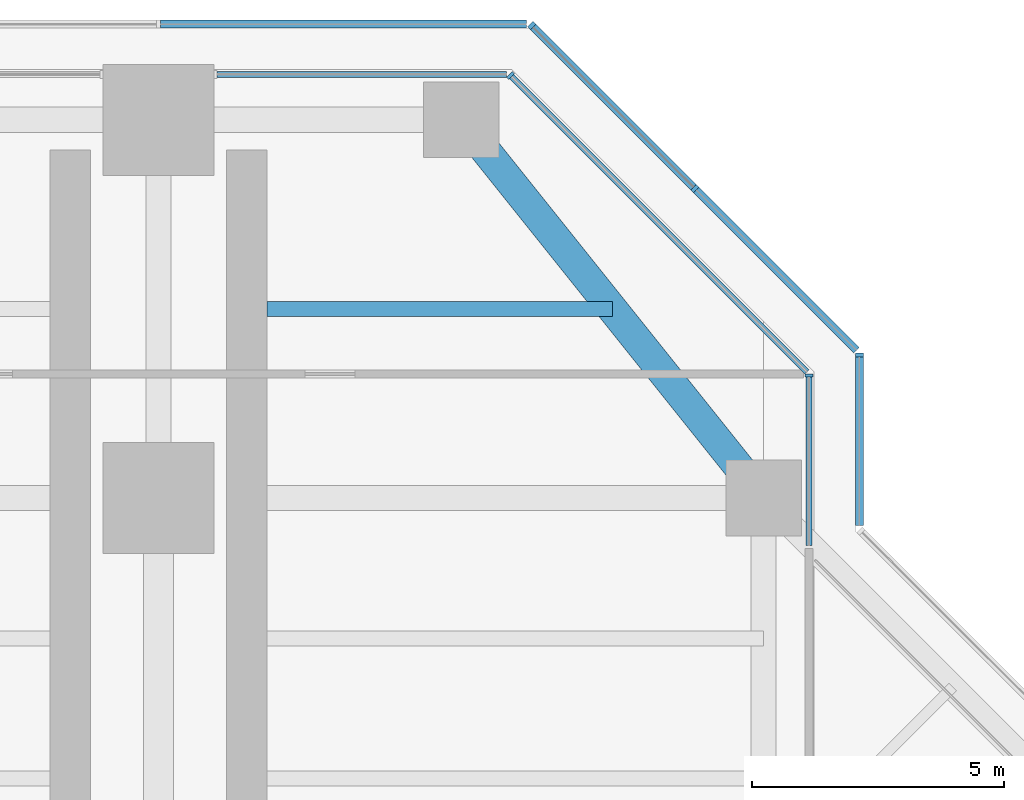
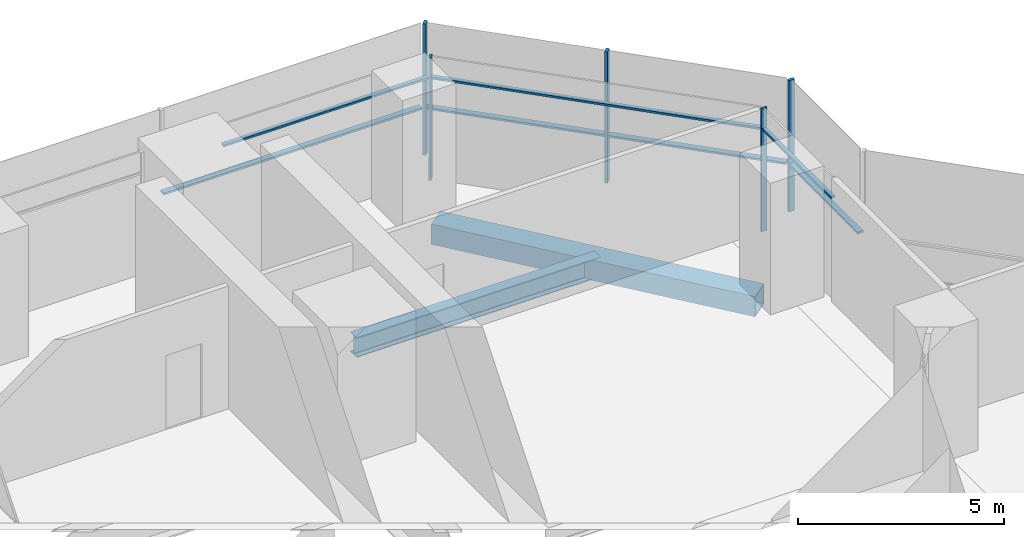
# One storey, part 9 of 17: 12 members, 2 beams, 6 elements without a shape of their own.
"""IFC4 building model written with IfcOpenShell, lengths in metres."""

from ifc_helpers import new_model, si_unit, direction, frame, origin, origin_2d, place, context, subcontext, project, spatial, rectangle, hollow_rectangle, i_section, extrude, material, material_profile, profile_set, type_object, element, aggregate, save


model = new_model("IFC4")

# Units and contexts
model_context = context("Model", 3, precision=1e-05, world=origin(), true_north=direction((0.0, 1.0)))
body_context = subcontext(model_context, "Body", "Model", "MODEL_VIEW")
ifc_project = project(units=[si_unit("LENGTHUNIT", "METRE"), si_unit("AREAUNIT", "SQUARE_METRE"), si_unit("VOLUMEUNIT", "CUBIC_METRE"), si_unit("PLANEANGLEUNIT", "RADIAN"), si_unit("MASSUNIT", "GRAM", prefix="KILO")], contexts=[model_context])

# Site, building, storey
site_placement = place(None, origin())
site = spatial("IfcSite", under=ifc_project, at=site_placement, CompositionType="ELEMENT")
building_placement = place(site_placement, origin())
building = spatial("IfcBuilding", under=site, at=building_placement, Name="Mizan Broadcast Tower", CompositionType="ELEMENT")
storey_placement = place(building_placement, frame((0.0, 0.0, 263.39990234375)))
storey = spatial("IfcBuildingStorey", under=building, at=storey_placement, Name="L62", CompositionType="ELEMENT", Elevation=263.39990234375)

# Beam
ifc_material_1 = material(Name="Steel S355", Category="steel")
ifc_material_profile_1 = material_profile(ifc_material_1, hollow_rectangle(XDim=0.60009765625, YDim=0.60009765625, WallThickness=0.030029296875, at=origin_2d()), Name="BOX 600x600x30")
ifc_profile_set_1 = profile_set([ifc_material_profile_1], Name="Steel S355")
beam_type_1 = type_object("IfcBeamType", Name="EDGE BEAM BOX 600x600x30", PredefinedType="SPANDREL", material=ifc_profile_set_1)
beam_1_placement = place(storey_placement, frame((11.639892578125, 19.949951171875, -0.429931640625), z_axis=(-0.624673911726, 0.780885717636, 0.0), x_axis=(-0.780885717636, -0.624673911726, 0.0)))
element("IfcBeam", 1, at=beam_1_placement, inside=storey, type_object=beam_type_1, Name="Edge beam BOX 600x600x30 L62 north arm", PredefinedType="SPANDREL", context=body_context, shape_type="SweptSolid", body=[
    extrude(hollow_rectangle(XDim=0.60009765625, YDim=0.60009765625, WallThickness=0.030029296875, at=origin_2d()), origin(), (0.0, 0.0, 1.0), 8.4521484375),
])

# Curtain wall, member
ifc_material_2 = material(Name="Aluminium framed glazing", Category="aluminium")
curtain_wall_type_1 = type_object("IfcCurtainWallType", Name="INNER SKIN HIGH ZONE", PredefinedType="USERDEFINED", material=ifc_material_2)
curtain_wall_1_placement = place(storey_placement, origin())
curtain_wall_1 = element("IfcCurtainWall", 2, at=curtain_wall_1_placement, inside=storey, type_object=curtain_wall_type_1, Name="Inner skin high zone L62 N side", ObjectType="INNER SKIN HIGH ZONE", PredefinedType="USERDEFINED")
ifc_material_3 = material(Name="Aluminium, pale anodised", Category="aluminium")
ifc_material_profile_2 = material_profile(ifc_material_3, rectangle(XDim=0.159912109375, YDim=0.06005859375, at=origin_2d()), Name="MULLION 160x60")
ifc_profile_set_2 = profile_set([ifc_material_profile_2], Name="Aluminium, pale anodised")
member_type_1 = type_object("IfcMemberType", Name="INNER SKIN MULLION 60x160", PredefinedType="MULLION", material=ifc_profile_set_2)
member_1_placement = place(storey_placement, frame((12.89990234375, 21.928466796875, 0.0), z_axis=(0.0, 0.0, 1.0), x_axis=(-1.0, 0.0, 0.0)))
member_1 = element("IfcMember", 3, at=member_1_placement, type_object=member_type_1, Name="Inner skin high zone L62 N side mullion 2", PredefinedType="MULLION", context=body_context, shape_type="SweptSolid", body=[
    extrude(rectangle(XDim=0.159912109375, YDim=0.06005859375, at=origin_2d()), origin(), (0.0, 0.0, 1.0), 3.650146484375),
])

curtain_wall_2_placement = place(storey_placement, origin())
curtain_wall_2 = element("IfcCurtainWall", 4, at=curtain_wall_2_placement, inside=storey, type_object=curtain_wall_type_1, Name="Inner skin high zone L62 N chamfer", ObjectType="INNER SKIN HIGH ZONE", PredefinedType="USERDEFINED")
member_2_placement = place(storey_placement, frame((6.979736328125, 27.87890625, 0.0), z_axis=(0.0, 0.0, 1.0), x_axis=(-0.707106781187, -0.707106781187, 0.0)))
member_2 = element("IfcMember", 5, at=member_2_placement, type_object=member_type_1, Name="Inner skin high zone L62 N chamfer mullion 2", PredefinedType="MULLION", context=body_context, shape_type="SweptSolid", body=[
    extrude(rectangle(XDim=0.159912109375, YDim=0.06005859375, at=origin_2d()), origin(), (0.0, 0.0, 1.0), 3.650146484375),
])

# Member
ifc_material_4 = material(Name="Aluminium, pale anodised", Category="aluminium")
ifc_material_profile_3 = material_profile(ifc_material_4, rectangle(XDim=0.1201171875, YDim=0.06005859375, at=origin_2d()), Name="TRANSOM 120x60")
ifc_profile_set_3 = profile_set([ifc_material_profile_3], Name="Aluminium, pale anodised")
member_type_2 = type_object("IfcMemberType", Name="INNER SKIN TRANSOM 60x120", PredefinedType="USERDEFINED", material=ifc_profile_set_3)
member_3_placement = place(storey_placement, frame((12.89990234375, 18.56005859375, 3.030029296875), z_axis=(0.0, 1.0, 0.0), x_axis=(-1.0, 0.0, 0.0)))
member_3 = element("IfcMember", 6, at=member_3_placement, type_object=member_type_2, Name="Inner skin high zone L62 N side transom 1.1", ObjectType="TRANSOM", PredefinedType="USERDEFINED", context=body_context, shape_type="SweptSolid", body=[
    extrude(rectangle(XDim=0.1201171875, YDim=0.06005859375, at=origin_2d()), origin(), (0.0, 0.0, 1.0), 3.338623046875),
])

aggregate(curtain_wall_1, [member_1, member_3])

member_4_placement = place(storey_placement, frame((12.857666015625, 22.0009765625, 3.030029296875), z_axis=(-0.707106781187, 0.707106781187, 0.0), x_axis=(-0.707106781187, -0.707106781187, 0.0)))
member_4 = element("IfcMember", 7, at=member_4_placement, type_object=member_type_2, Name="Inner skin high zone L62 N chamfer transom 1.1", ObjectType="TRANSOM", PredefinedType="USERDEFINED", context=body_context, shape_type="SweptSolid", body=[
    extrude(rectangle(XDim=0.1201171875, YDim=0.06005859375, at=origin_2d()), origin(), (0.0, 0.0, 1.0), 8.28271484375),
])

aggregate(curtain_wall_2, [member_2, member_4])

# Curtain wall, member
curtain_wall_3_placement = place(storey_placement, origin())
curtain_wall_3 = element("IfcCurtainWall", 8, at=curtain_wall_3_placement, inside=storey, type_object=curtain_wall_type_1, Name="Inner skin high zone L62 N end", ObjectType="INNER SKIN HIGH ZONE", PredefinedType="USERDEFINED")
member_5_placement = place(storey_placement, frame((6.898681640625, 27.89990234375, 3.030029296875), z_axis=(-1.0, 0.0, 0.0), x_axis=(0.0, -1.0, 0.0)))
member_5 = element("IfcMember", 9, at=member_5_placement, type_object=member_type_2, Name="Inner skin high zone L62 N end transom 1.1", ObjectType="TRANSOM", PredefinedType="USERDEFINED", context=body_context, shape_type="SweptSolid", body=[
    extrude(rectangle(XDim=0.1201171875, YDim=0.06005859375, at=origin_2d()), origin(), (0.0, 0.0, 1.0), 5.73876953125),
])
aggregate(curtain_wall_3, [member_5])

ifc_material_5 = material(Name="Aluminium framed glazing", Category="aluminium")
curtain_wall_type_2 = type_object("IfcCurtainWallType", Name="OUTER SKIN", PredefinedType="USERDEFINED", material=ifc_material_5)
curtain_wall_4_placement = place(storey_placement, origin())
curtain_wall_4 = element("IfcCurtainWall", 10, at=curtain_wall_4_placement, inside=storey, type_object=curtain_wall_type_2, Name="Outer skin L62 N side", ObjectType="OUTER SKIN", PredefinedType="USERDEFINED")
ifc_material_6 = material(Name="Aluminium, pale anodised", Category="aluminium")
ifc_material_profile_4 = material_profile(ifc_material_6, rectangle(XDim=0.159912109375, YDim=0.080078125, at=origin_2d()), Name="MULLION 160x80")
ifc_profile_set_4 = profile_set([ifc_material_profile_4], Name="Aluminium, pale anodised")
member_type_3 = type_object("IfcMemberType", Name="OUTER SKIN MULLION 80x160", PredefinedType="MULLION", material=ifc_profile_set_4)
member_6_placement = place(storey_placement, frame((13.89990234375, 22.332763671875, 0.0), z_axis=(0.0, 0.0, 1.0), x_axis=(-1.0, 0.0, 0.0)))
member_6 = element("IfcMember", 11, at=member_6_placement, type_object=member_type_3, Name="Outer skin L62 N side mullion 2", PredefinedType="MULLION", context=body_context, shape_type="SweptSolid", body=[
    extrude(rectangle(XDim=0.159912109375, YDim=0.080078125, at=origin_2d()), origin(), (0.0, 0.0, 1.0), 3.900146484375),
])

# Curtain wall, members
curtain_wall_5_placement = place(storey_placement, origin())
curtain_wall_5 = element("IfcCurtainWall", 12, at=curtain_wall_5_placement, inside=storey, type_object=curtain_wall_type_2, Name="Outer skin L62 N chamfer", ObjectType="OUTER SKIN", PredefinedType="USERDEFINED")
member_7_placement = place(storey_placement, frame((10.636474609375, 25.636474609375, 0.0), z_axis=(0.0, 0.0, 1.0), x_axis=(-0.707106781187, -0.707106781187, 0.0)))
member_7 = element("IfcMember", 13, at=member_7_placement, type_object=member_type_3, Name="Outer skin L62 N chamfer mullion 2", PredefinedType="MULLION", context=body_context, shape_type="SweptSolid", body=[
    extrude(rectangle(XDim=0.159912109375, YDim=0.080078125, at=origin_2d()), origin(), (0.0, 0.0, 1.0), 3.900146484375),
])
member_8_placement = place(storey_placement, frame((7.401123046875, 28.871826171875, 0.0), z_axis=(0.0, 0.0, 1.0), x_axis=(-0.707106781187, -0.707106781187, 0.0)))
member_8 = element("IfcMember", 14, at=member_8_placement, type_object=member_type_3, Name="Outer skin L62 N chamfer mullion 3", PredefinedType="MULLION", context=body_context, shape_type="SweptSolid", body=[
    extrude(rectangle(XDim=0.159912109375, YDim=0.080078125, at=origin_2d()), origin(), (0.0, 0.0, 1.0), 3.900146484375),
])

# Member
ifc_material_7 = material(Name="Aluminium, pale anodised", Category="aluminium")
ifc_material_profile_5 = material_profile(ifc_material_7, rectangle(XDim=0.159912109375, YDim=0.06005859375, at=origin_2d()), Name="TRANSOM 160x60")
ifc_profile_set_5 = profile_set([ifc_material_profile_5], Name="Aluminium, pale anodised")
member_type_4 = type_object("IfcMemberType", Name="OUTER SKIN TRANSOM 60x160", PredefinedType="USERDEFINED", material=ifc_profile_set_5)
member_9_placement = place(storey_placement, frame((13.89990234375, 18.952880859375, 1.400146484375), z_axis=(0.0, 1.0, 0.0), x_axis=(-1.0, 0.0, 0.0)))
member_9 = element("IfcMember", 15, at=member_9_placement, type_object=member_type_4, Name="Outer skin L62 N side transom 1.1", ObjectType="TRANSOM", PredefinedType="USERDEFINED", context=body_context, shape_type="SweptSolid", body=[
    extrude(rectangle(XDim=0.159912109375, YDim=0.06005859375, at=origin_2d()), origin(), (0.0, 0.0, 1.0), 3.33984375),
])

aggregate(curtain_wall_4, [member_6, member_9])

member_10_placement = place(storey_placement, frame((13.843505859375, 22.429443359375, 1.400146484375), z_axis=(-0.707106781187, 0.707106781187, 0.0), x_axis=(-0.707106781187, -0.707106781187, 0.0)))
member_10 = element("IfcMember", 16, at=member_10_placement, type_object=member_type_4, Name="Outer skin L62 N chamfer transom 1.1", ObjectType="TRANSOM", PredefinedType="USERDEFINED", context=body_context, shape_type="SweptSolid", body=[
    extrude(rectangle(XDim=0.159912109375, YDim=0.06005859375, at=origin_2d()), origin(), (0.0, 0.0, 1.0), 4.495361328125),
])

member_11_placement = place(storey_placement, frame((10.608154296875, 25.664794921875, 1.400146484375), z_axis=(-0.707106781187, 0.707106781187, 0.0), x_axis=(-0.707106781187, -0.707106781187, 0.0)))
member_11 = element("IfcMember", 17, at=member_11_placement, type_object=member_type_4, Name="Outer skin L62 N chamfer transom 2.1", ObjectType="TRANSOM", PredefinedType="USERDEFINED", context=body_context, shape_type="SweptSolid", body=[
    extrude(rectangle(XDim=0.159912109375, YDim=0.06005859375, at=origin_2d()), origin(), (0.0, 0.0, 1.0), 4.495361328125),
])

aggregate(curtain_wall_5, [member_7, member_8, member_10, member_11])

# Curtain wall, member
curtain_wall_6_placement = place(storey_placement, origin())
curtain_wall_6 = element("IfcCurtainWall", 18, at=curtain_wall_6_placement, inside=storey, type_object=curtain_wall_type_2, Name="Outer skin L62 N end", ObjectType="OUTER SKIN", PredefinedType="USERDEFINED")
member_12_placement = place(storey_placement, frame((7.292724609375, 28.89990234375, 1.400146484375), z_axis=(-1.0, 0.0, 0.0), x_axis=(0.0, -1.0, 0.0)))
member_12 = element("IfcMember", 19, at=member_12_placement, type_object=member_type_4, Name="Outer skin L62 N end transom 1.1", ObjectType="TRANSOM", PredefinedType="USERDEFINED", context=body_context, shape_type="SweptSolid", body=[
    extrude(rectangle(XDim=0.159912109375, YDim=0.06005859375, at=origin_2d()), origin(), (0.0, 0.0, 1.0), 7.252685546875),
])
aggregate(curtain_wall_6, [member_12])

# Beam
ifc_material_8 = material(Name="Steel S355", Category="steel")
ifc_material_profile_6 = material_profile(ifc_material_8, i_section(OverallWidth=0.300048828125, OverallDepth=0.590087890625, WebThickness=0.012939453125, FlangeThickness=0.02490234375, FilletRadius=0.027099609375, at=origin_2d()), Name="HEA 600")
ifc_profile_set_6 = profile_set([ifc_material_profile_6], Name="Steel S355")
beam_type_2 = type_object("IfcBeamType", Name="SECONDARY BEAM HEA 600", PredefinedType="JOIST", material=ifc_profile_set_6)
beam_2_placement = place(storey_placement, frame((9.0, 23.25, -0.4248046875), z_axis=(-1.0, 0.0, 0.0), x_axis=(0.0, -1.0, 0.0)))
element("IfcBeam", 20, at=beam_2_placement, inside=storey, type_object=beam_type_2, Name="Secondary beam HEA 600 L62 north arm", PredefinedType="JOIST", context=body_context, shape_type="SweptSolid", body=[
    extrude(i_section(OverallWidth=0.300048828125, OverallDepth=0.590087890625, WebThickness=0.012939453125, FlangeThickness=0.02490234375, FilletRadius=0.027099609375, at=origin_2d()), origin(), (0.0, 0.0, 1.0), 6.85009765625),
])

save(model, "model.ifc")
